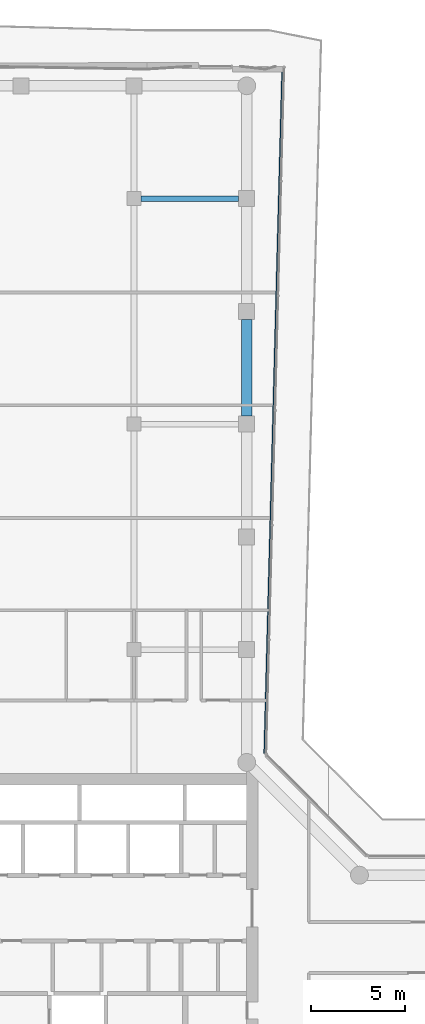
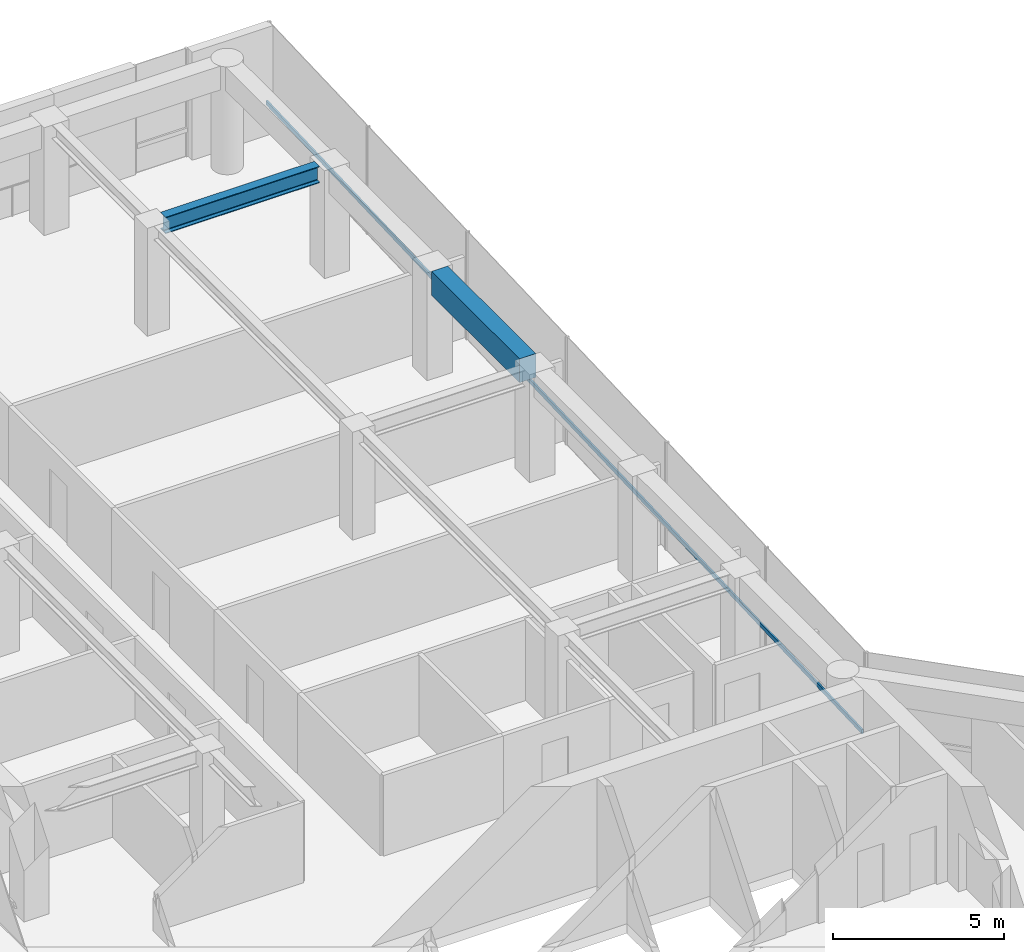
# One storey, part 12 of 19: 2 beams, 1 member, 1 element without a shape of its own.
"""IFC4 building model written with IfcOpenShell, lengths in metres."""

from ifc_helpers import new_model, si_unit, direction, frame, origin, origin_2d, place, context, subcontext, project, spatial, rectangle, i_section, extrude, material, layer, layer_set, material_profile, profile_set, type_object, element, aggregate, save


model = new_model("IFC4")

# Units and contexts
model_context = context("Model", 3, precision=1e-05, world=origin(), true_north=direction((0.0, 1.0)))
body_context = subcontext(model_context, "Body", "Model", "MODEL_VIEW")
ifc_project = project(units=[si_unit("LENGTHUNIT", "METRE"), si_unit("AREAUNIT", "SQUARE_METRE"), si_unit("VOLUMEUNIT", "CUBIC_METRE"), si_unit("PLANEANGLEUNIT", "RADIAN"), si_unit("MASSUNIT", "GRAM", prefix="KILO")], contexts=[model_context])

# Site, building, storey
site_placement = place(None, origin())
site = spatial("IfcSite", under=ifc_project, at=site_placement, CompositionType="ELEMENT")
building_placement = place(site_placement, origin())
building = spatial("IfcBuilding", under=site, at=building_placement, Name="Welwitschia Terrace Campus", CompositionType="ELEMENT")
storey_placement = place(building_placement, frame((0.0, 0.0, 163.39990234375)))
storey = spatial("IfcBuildingStorey", under=building, at=storey_placement, Name="L36", CompositionType="ELEMENT", Elevation=163.39990234375)

# Beams
ifc_material_1 = material(Name="Steel S355", Category="steel")
ifc_material_profile_1 = material_profile(ifc_material_1, i_section(OverallWidth=0.300048828125, OverallDepth=0.590087890625, WebThickness=0.012939453125, FlangeThickness=0.02490234375, FilletRadius=0.027099609375, at=origin_2d()))
ifc_profile_set_1 = profile_set([ifc_material_profile_1], Name="Steel S355")
beam_type_1 = type_object("IfcBeamType", Name="Primary beam HE 600 A", PredefinedType="BEAM", material=ifc_profile_set_1)
beam_1_placement = place(storey_placement, frame((23.574462890625, 56.0, 3.55517578125), z_axis=(-1.0, 0.0, 0.0), x_axis=(0.0, -1.0, 0.0)))
element("IfcBeam", 1, at=beam_1_placement, inside=storey, type_object=beam_type_1, Name="Primary beam PB4", PredefinedType="BEAM", context=body_context, shape_type="SweptSolid", body=[
    extrude(i_section(OverallWidth=0.300048828125, OverallDepth=0.590087890625, WebThickness=0.012939453125, FlangeThickness=0.02490234375, FilletRadius=0.027099609375, at=origin_2d()), origin(), (0.0, 0.0, 1.0), 5.198974609375),
])
ifc_material_2 = material(Name="Concrete C50/60", Category="concrete")
ifc_material_profile_2 = material_profile(ifc_material_2, rectangle(XDim=0.550048828125, YDim=0.85009765625, at=origin_2d()))
ifc_profile_set_2 = profile_set([ifc_material_profile_2], Name="Concrete C50/60")
beam_type_2 = type_object("IfcBeamType", Name="Ring spandrel 550x850", PredefinedType="SPANDREL", material=ifc_profile_set_2)
beam_2_placement = place(storey_placement, frame((24.0, 44.425537109375, 3.425048828125), z_axis=(0.0, 1.0, 0.0), x_axis=(-1.0, 0.0, 0.0)))
element("IfcBeam", 2, at=beam_2_placement, inside=storey, type_object=beam_type_2, Name="Spandrel SP3", PredefinedType="SPANDREL", context=body_context, shape_type="SweptSolid", body=[
    extrude(rectangle(XDim=0.550048828125, YDim=0.85009765625, at=origin_2d()), origin(), (0.0, 0.0, 1.0), 5.14892578125),
])

# Curtain wall, member
ifc_material_3 = material(Name="Bronze anodised aluminium", Category="aluminium")
ifc_layer = layer(ifc_material_3, 0.1201171875)
ifc_layer_set = layer_set([ifc_layer], Name="Bronze anodised aluminium")
curtain_wall_type = type_object("IfcCurtainWallType", Name="Curtain wall CW2 tower 6000", PredefinedType="NOTDEFINED", material=ifc_layer_set)
curtain_wall_placement = place(storey_placement, origin())
curtain_wall = element("IfcCurtainWall", 3, at=curtain_wall_placement, inside=storey, type_object=curtain_wall_type, Name="CW L36.10.0", PredefinedType="NOTDEFINED")
ifc_material_4 = material(Name="Bronze anodised aluminium", Category="aluminium")
ifc_material_profile_3 = material_profile(ifc_material_4, rectangle(XDim=0.06005859375, YDim=0.14990234375, at=origin_2d()))
ifc_profile_set_3 = profile_set([ifc_material_profile_3], Name="Bronze anodised aluminium")
member_type = type_object("IfcMemberType", Name="Transom 60x150", PredefinedType="USERDEFINED", material=ifc_profile_set_3)
member_placement = place(storey_placement, frame((24.943359375, 26.4873046875, 1.0), z_axis=(0.026174925021, 0.999657377955, 0.0), x_axis=(-0.999657377955, 0.026174925021, 0.0)))
member = element("IfcMember", 4, at=member_placement, type_object=member_type, Name="Transom L36.10.0", ObjectType="TRANSOM", PredefinedType="USERDEFINED", context=body_context, shape_type="SweptSolid", body=[
    extrude(rectangle(XDim=0.06005859375, YDim=0.14990234375, at=origin_2d()), origin(), (0.0, 0.0, 1.0), 36.49755859375),
])
aggregate(curtain_wall, [member])

save(model, "model.ifc")
